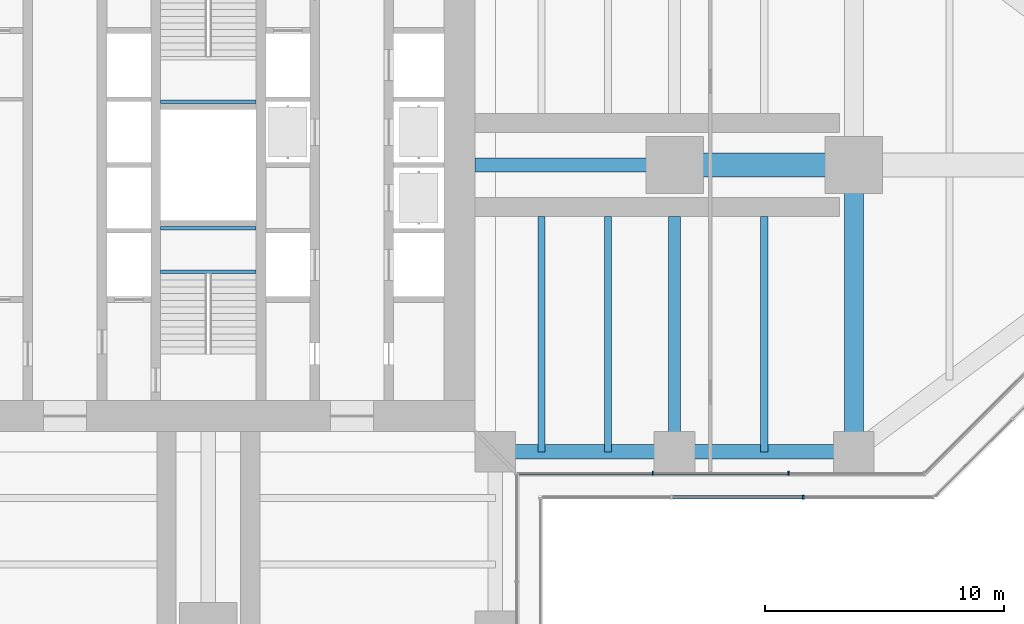
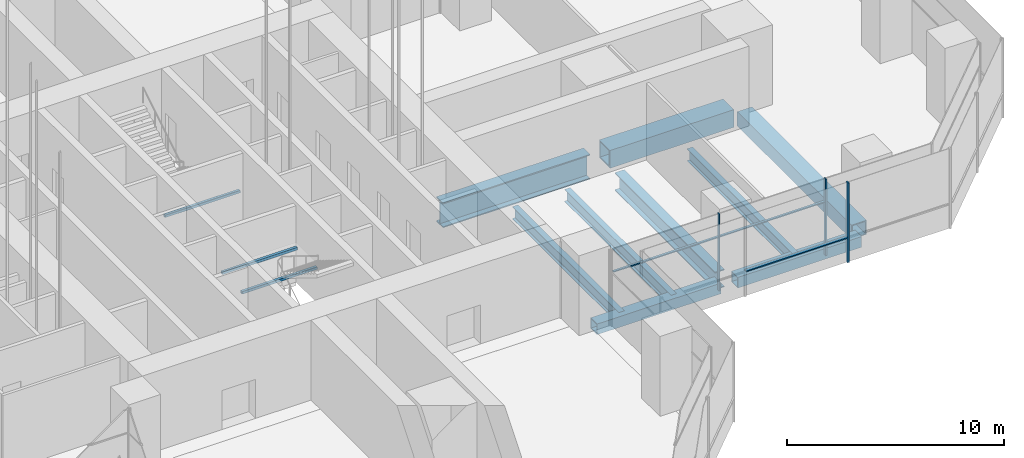
# One storey, part 5 of 34: 12 beams, 6 members, 2 elements without a shape of their own.
"""IFC4 building model written with IfcOpenShell, lengths in metres."""

import ifcopenshell
import ifcopenshell.guid

model = None  # the IFC model being written
_history = None  # IfcOwnerHistory: only IFC2X3 demands one
_inside = {}  # id of a spatial element -> (the spatial element, [elements in it])
_under = {}  # id of a project, library or spatial element -> (it, [spatial elements below it])
_declared = {}  # id of a project -> (the project, [libraries it declares])
_typed = {}  # id of a type object -> (the type object, [elements of that type])
_made_of = {}  # id of a material, layer set ... -> (it, [elements and type objects made of it])


def new_model(schema):
    """Start an empty IFC model of exactly this schema.

    Asked for "IFC4X3", IfcOpenShell would pick the latest addendum, in which some entities
    have other attributes; the version numbers below select the first issue.
    IFC2X3 requires an IfcOwnerHistory on every rooted entity: one is made here for all.
    """
    global model, _history
    if schema == "IFC4X3":
        model = ifcopenshell.file(schema_version=(4, 3, 0, 0))
    else:
        model = ifcopenshell.file(schema=schema)
    _inside.clear()
    _under.clear()
    _declared.clear()
    _typed.clear()
    _made_of.clear()
    _history = None
    if model.schema == "IFC2X3":
        org = make("IfcOrganization", Name="unknown")
        user = make(
            "IfcPersonAndOrganization",
            ThePerson=make("IfcPerson", FamilyName="unknown"),
            TheOrganization=org,
        )
        app = make(
            "IfcApplication",
            ApplicationDeveloper=org,
            Version="unknown",
            ApplicationFullName="unknown",
            ApplicationIdentifier="unknown",
        )
        _history = make(
            "IfcOwnerHistory",
            OwningUser=user,
            OwningApplication=app,
            ChangeAction="ADDED",
            CreationDate=0,
        )
    return model


def make(cls, **values):
    """One entity of the class cls with the attributes given. An attribute that is None is left unset."""
    return model.create_entity(
        cls, **{name: value for name, value in values.items() if value is not None}
    )


def rooted(cls, **values):
    """An entity with a GlobalId (a new one), such as an element, a storey or a relation."""
    return make(cls, GlobalId=ifcopenshell.guid.new(), OwnerHistory=_history, **values)


def si_unit(unit_type, name, prefix=None):
    """IfcSIUnit, for example si_unit("LENGTHUNIT", "METRE", prefix="MILLI")."""
    return make("IfcSIUnit", UnitType=unit_type, Prefix=prefix, Name=name)


def assignment(units):
    """IfcUnitAssignment: the units of a project."""
    return None if units is None else make("IfcUnitAssignment", Units=units)


def point(xyz):
    """IfcCartesianPoint."""
    return None if xyz is None else make("IfcCartesianPoint", Coordinates=xyz)


def direction(xyz):
    """IfcDirection."""
    return None if xyz is None else make("IfcDirection", DirectionRatios=xyz)


def frame(location, z_axis=None, x_axis=None):
    """IfcAxis2Placement3D, a coordinate frame: its origin and axes. An axis left out is left unset."""
    return make(
        "IfcAxis2Placement3D",
        Location=point(location),
        Axis=direction(z_axis),
        RefDirection=direction(x_axis),
    )


def frame_2d(location, x_axis=None):
    """IfcAxis2Placement2D, a coordinate frame in the plane: its origin and x axis."""
    return make(
        "IfcAxis2Placement2D", Location=point(location), RefDirection=direction(x_axis)
    )


def origin():
    """The frame at (0, 0, 0) with its axes left unset."""
    return frame((0.0, 0.0, 0.0))


def origin_2d():
    """The frame at (0, 0) in the plane with its x axis left unset."""
    return frame_2d((0.0, 0.0))


def place(relative_to, where):
    """IfcLocalPlacement: puts the frame where relative to a parent placement (None: the world)."""
    return make(
        "IfcLocalPlacement", PlacementRelTo=relative_to, RelativePlacement=where
    )


def context(
    kind, dimensions, precision=None, world=None, true_north=None, identifier=None
):
    """IfcGeometricRepresentationContext, for example the 3D "Model" context."""
    return make(
        "IfcGeometricRepresentationContext",
        ContextIdentifier=identifier,
        ContextType=kind,
        CoordinateSpaceDimension=dimensions,
        Precision=precision,
        WorldCoordinateSystem=world,
        TrueNorth=true_north,
    )


def subcontext(parent, identifier, kind, view, scale=None):
    """IfcGeometricRepresentationSubContext, for example "Body" below "Model"."""
    return make(
        "IfcGeometricRepresentationSubContext",
        ContextIdentifier=identifier,
        ContextType=kind,
        ParentContext=parent,
        TargetScale=scale,
        TargetView=view,
    )


def project(units=None, contexts=None):
    """IfcProject with its units and contexts."""
    return rooted(
        "IfcProject",
        Name="project",
        RepresentationContexts=contexts,
        UnitsInContext=assignment(units),
    )


def spatial(cls, under=None, at=None, **own):
    """A site, building, storey or space (cls), placed at a placement, below another one or the project."""
    s = rooted(cls, ObjectPlacement=at, **own)
    if under is not None:
        _under.setdefault(under.id(), (under, []))[1].append(s)
    return s


def profile(cls, at=None, kind="AREA", **sizes):
    """A parametric profile (cls). Its sizes go by their IFC names, for example OverallWidth=200.0."""
    return make(cls, ProfileType=kind, Position=at, **sizes)


def rectangle(**sizes):
    """IfcRectangleProfileDef."""
    return profile("IfcRectangleProfileDef", **sizes)


def hollow_rectangle(**sizes):
    """IfcRectangleHollowProfileDef."""
    return profile("IfcRectangleHollowProfileDef", **sizes)


def i_section(**sizes):
    """IfcIShapeProfileDef."""
    return profile("IfcIShapeProfileDef", **sizes)


def extrude(swept, where, along, depth):
    """IfcExtrudedAreaSolid: the profile swept, set in the frame where, extruded along a direction by depth."""
    return make(
        "IfcExtrudedAreaSolid",
        SweptArea=swept,
        Position=where,
        ExtrudedDirection=direction(along),
        Depth=depth,
    )


def shape(context_of_items, identifier, shape_type, items):
    """IfcShapeRepresentation: the items that make up one representation, for example the "Body"."""
    return make(
        "IfcShapeRepresentation",
        ContextOfItems=context_of_items,
        RepresentationIdentifier=identifier,
        RepresentationType=shape_type,
        Items=items,
    )


def material(Name=None, Category=None):
    """IfcMaterial."""
    return make("IfcMaterial", Name=Name, Category=Category)


def material_profile(
    of_material, cross_section, Name=None, Category=None, Priority=None
):
    """IfcMaterialProfile: a cross section and its material."""
    return make(
        "IfcMaterialProfile",
        Name=Name,
        Material=of_material,
        Profile=cross_section,
        Priority=Priority,
        Category=Category,
    )


def profile_set(profiles, Name=None, composite=None):
    """IfcMaterialProfileSet."""
    return make(
        "IfcMaterialProfileSet",
        Name=Name,
        MaterialProfiles=profiles,
        CompositeProfile=composite,
    )


def made_of(thing, what):
    """Note that an element or type object is made of a material, layer set ...; save() writes the relation."""
    if what is not None:
        _made_of.setdefault(what.id(), (what, []))[1].append(thing)
    return thing


def type_object(cls, material=None, **own):
    """A type object (cls), such as IfcWallType, which elements share."""
    return made_of(rooted(cls, **own), material)


def element(
    cls,
    number,
    at=None,
    inside=None,
    cuts=None,
    type_object=None,
    material=None,
    context=None,
    identifier="Body",
    shape_type=None,
    held_by="IfcProductDefinitionShape",
    body=None,
    shapes=None,
    **own,
):
    """One element of the class cls, such as IfcWall. Its Tag is "e" and its number.

    at: its placement. inside: the storey or other place that contains it. cuts: it is an
    opening in that element (IfcRelVoidsElement). A single representation is given by context,
    identifier, shape_type and body (its items); several are given by shapes. held_by: the class
    of the entity that holds the representations. save() writes the other relations.
    """
    e = rooted(cls, Tag="e%d" % number, ObjectPlacement=at, **own)
    if body is not None:
        shapes = [shape(context, identifier, shape_type, body)]
    if shapes is not None:
        e.Representation = make(held_by, Representations=shapes)
    if inside is not None:
        _inside.setdefault(inside.id(), (inside, []))[1].append(e)
    if cuts is not None:
        rooted(
            "IfcRelVoidsElement", RelatingBuildingElement=cuts, RelatedOpeningElement=e
        )
    if type_object is not None:
        _typed.setdefault(type_object.id(), (type_object, []))[1].append(e)
    return made_of(e, material)


def aggregate(whole, parts):
    """IfcRelAggregates: a whole, such as a stair, and the parts it consists of."""
    return rooted("IfcRelAggregates", RelatingObject=whole, RelatedObjects=parts)


def save(model, path):
    """Write the relations noted so far, then the file.

    IfcRelAggregates (storeys below a building ...), IfcRelContainedInSpatialStructure (elements
    in a storey), IfcRelDefinesByType, IfcRelAssociatesMaterial and IfcRelDeclares: one each for
    every whole, place, type object, material and project.
    """
    for whole, parts in _under.values():
        aggregate(whole, parts)
    for where, things in _inside.values():
        rooted(
            "IfcRelContainedInSpatialStructure",
            RelatedElements=things,
            RelatingStructure=where,
        )
    for kind, things in _typed.values():
        rooted("IfcRelDefinesByType", RelatedObjects=things, RelatingType=kind)
    for what, things in _made_of.values():
        rooted("IfcRelAssociatesMaterial", RelatedObjects=things, RelatingMaterial=what)
    for by, libraries in _declared.values():
        rooted("IfcRelDeclares", RelatingContext=by, RelatedDefinitions=libraries)
    model.write(path)


model = new_model("IFC4")

# Units and contexts
model_context = context("Model", 3, precision=1e-05, world=origin(), true_north=direction((0.0, 1.0)))
body_context = subcontext(model_context, "Body", "Model", "MODEL_VIEW")
ifc_project = project(units=[si_unit("LENGTHUNIT", "METRE"), si_unit("AREAUNIT", "SQUARE_METRE"), si_unit("VOLUMEUNIT", "CUBIC_METRE"), si_unit("PLANEANGLEUNIT", "RADIAN"), si_unit("MASSUNIT", "GRAM", prefix="KILO")], contexts=[model_context])

# Site, building, storey
site_placement = place(None, origin())
site = spatial("IfcSite", under=ifc_project, at=site_placement, CompositionType="ELEMENT")
building_placement = place(site_placement, origin())
building = spatial("IfcBuilding", under=site, at=building_placement, Name="Mizan Broadcast Tower", CompositionType="ELEMENT")
storey_placement = place(building_placement, frame((0.0, 0.0, 194.39990234375)))
storey = spatial("IfcBuildingStorey", under=building, at=storey_placement, Name="L45", CompositionType="ELEMENT", Elevation=194.39990234375)

# Beams
ifc_material_1 = material(Name="Steel S355", Category="steel")
ifc_material_profile_1 = material_profile(ifc_material_1, hollow_rectangle(XDim=0.60009765625, YDim=0.60009765625, WallThickness=0.0400390625, at=origin_2d()), Name="BOX 600x600x40")
ifc_profile_set_1 = profile_set([ifc_material_profile_1], Name="Steel S355")
beam_type_1 = type_object("IfcBeamType", Name="EDGE BEAM BOX 600x600x40", PredefinedType="SPANDREL", material=ifc_profile_set_1)
for number, where, z_axis, x_axis, name in (
    (1, (12.449951171875, -12.0, -0.429931640625), (1.0, 0.0, 0.0), (0.0, 1.0, 0.0), "Edge beam BOX 600x600x40 L45 east arm"),
    (2, (19.949951171875, -12.0, -0.429931640625), (1.0, 0.0, 0.0), (0.0, 1.0, 0.0), "Edge beam BOX 600x600x40 L45 east arm"),
):
    element("IfcBeam", number, at=place(storey_placement, frame(where, z_axis=z_axis, x_axis=x_axis)), inside=storey, type_object=beam_type_1, Name=name, PredefinedType="SPANDREL", context=body_context, shape_type="SweptSolid", body=[
        extrude(hollow_rectangle(XDim=0.60009765625, YDim=0.60009765625, WallThickness=0.0400390625, at=origin_2d()), origin(), (0.0, 0.0, 1.0), 6.60009765625),
    ])
ifc_material_2 = material(Name="Steel S460", Category="steel")
ifc_material_profile_2 = material_profile(ifc_material_2, hollow_rectangle(XDim=1.0, YDim=1.0, WallThickness=0.080078125, at=origin_2d()), Name="BOX 1000x1000x80")
ifc_profile_set_2 = profile_set([ifc_material_profile_2], Name="Steel S460")
beam_type_2 = type_object("IfcBeamType", Name="GIRDER BOX 1000x1000x80", PredefinedType="BEAM", material=ifc_profile_set_2)
beam_1_placement = place(storey_placement, frame((19.949951171875, 0.0, -0.6298828125), z_axis=(1.0, 0.0, 0.0), x_axis=(0.0, 1.0, 0.0)))
element("IfcBeam", 3, at=beam_1_placement, inside=storey, type_object=beam_type_2, Name="Girder BOX 1000x1000x80 L45 east arm", PredefinedType="BEAM", context=body_context, shape_type="SweptSolid", body=[
    extrude(hollow_rectangle(XDim=1.0, YDim=1.0, WallThickness=0.080078125, at=origin_2d()), origin(), (0.0, 0.0, 1.0), 6.60009765625),
])
ifc_material_3 = material(Name="Steel S460", Category="steel")
ifc_material_profile_3 = material_profile(ifc_material_3, hollow_rectangle(XDim=0.800048828125, YDim=0.800048828125, WallThickness=0.050048828125, at=origin_2d()), Name="BOX 800x800x50")
ifc_profile_set_3 = profile_set([ifc_material_profile_3], Name="Steel S460")
beam_type_3 = type_object("IfcBeamType", Name="GIRDER BOX 800x800x50", PredefinedType="BEAM", material=ifc_profile_set_3)
beam_2_placement = place(storey_placement, frame((27.0, -11.280029296875, -0.52978515625), z_axis=(0.0, 1.0, 0.0), x_axis=(-1.0, 0.0, 0.0)))
element("IfcBeam", 4, at=beam_2_placement, inside=storey, type_object=beam_type_3, Name="Girder BOX 800x800x50 L45 east arm", PredefinedType="BEAM", context=body_context, shape_type="SweptSolid", body=[
    extrude(hollow_rectangle(XDim=0.800048828125, YDim=0.800048828125, WallThickness=0.050048828125, at=origin_2d()), origin(), (0.0, 0.0, 1.0), 10.56005859375),
])
ifc_material_4 = material(Name="Steel S460", Category="steel")
ifc_material_profile_4 = material_profile(ifc_material_4, i_section(OverallWidth=0.5, OverallDepth=1.0, WebThickness=0.02490234375, FlangeThickness=0.050048828125, at=origin_2d()), Name="WPG 1000x500")
ifc_profile_set_4 = profile_set([ifc_material_profile_4], Name="Steel S460")
beam_type_4 = type_object("IfcBeamType", Name="GIRDER WPG 1000x500", PredefinedType="BEAM", material=ifc_profile_set_4)
beam_3_placement = place(storey_placement, frame((19.5, -11.408935546875, -0.6298828125), z_axis=(0.0, 1.0, 0.0), x_axis=(-1.0, 0.0, 0.0)))
element("IfcBeam", 5, at=beam_3_placement, inside=storey, type_object=beam_type_4, Name="Girder WPG 1000x500 L45 east arm", PredefinedType="BEAM", context=body_context, shape_type="SweptSolid", body=[
    extrude(i_section(OverallWidth=0.5, OverallDepth=1.0, WebThickness=0.02490234375, FlangeThickness=0.050048828125, at=origin_2d()), origin(), (0.0, 0.0, 1.0), 9.259033203125),
])
ifc_material_5 = material(Name="Steel S460", Category="steel")
ifc_material_profile_5 = material_profile(ifc_material_5, i_section(OverallWidth=0.60009765625, OverallDepth=1.39990234375, WebThickness=0.02490234375, FlangeThickness=0.06005859375, at=origin_2d()), Name="WPG 1400x600")
ifc_profile_set_5 = profile_set([ifc_material_profile_5], Name="Steel S460")
beam_type_5 = type_object("IfcBeamType", Name="GIRDER WPG 1400x600", PredefinedType="BEAM", material=ifc_profile_set_5)
beam_4_placement = place(storey_placement, frame((11.14990234375, 0.0, -0.829833984375), z_axis=(1.0, 0.0, 0.0), x_axis=(0.0, 1.0, 0.0)))
element("IfcBeam", 6, at=beam_4_placement, inside=storey, type_object=beam_type_5, Name="Girder WPG 1400x600 L45 east arm", PredefinedType="BEAM", context=body_context, shape_type="SweptSolid", body=[
    extrude(i_section(OverallWidth=0.60009765625, OverallDepth=1.39990234375, WebThickness=0.02490234375, FlangeThickness=0.06005859375, at=origin_2d()), origin(), (0.0, 0.0, 1.0), 7.84912109375),
])

# Curtain wall, members
ifc_material_6 = material(Name="Aluminium framed glazing", Category="aluminium")
curtain_wall_type_1 = type_object("IfcCurtainWallType", Name="INNER SKIN HIGH ZONE", PredefinedType="USERDEFINED", material=ifc_material_6)
curtain_wall_1_placement = place(storey_placement, origin())
curtain_wall_1 = element("IfcCurtainWall", 7, at=curtain_wall_1_placement, inside=storey, type_object=curtain_wall_type_1, Name="Inner skin high zone L45 E side", ObjectType="INNER SKIN HIGH ZONE", PredefinedType="USERDEFINED")
ifc_material_7 = material(Name="Aluminium, pale anodised", Category="aluminium")
ifc_material_profile_6 = material_profile(ifc_material_7, rectangle(XDim=0.159912109375, YDim=0.06005859375, at=origin_2d()), Name="MULLION 160x60")
ifc_profile_set_6 = profile_set([ifc_material_profile_6], Name="Aluminium, pale anodised")
member_type_1 = type_object("IfcMemberType", Name="INNER SKIN MULLION 60x160", PredefinedType="MULLION", material=ifc_profile_set_6)
member_1_placement = place(storey_placement, frame((18.586181640625, -12.89990234375, 0.0), z_axis=(0.0, 0.0, 1.0), x_axis=(0.0, 1.0, 0.0)))
member_1 = element("IfcMember", 8, at=member_1_placement, type_object=member_type_1, Name="Inner skin high zone L45 E side mullion 2", PredefinedType="MULLION", context=body_context, shape_type="SweptSolid", body=[
    extrude(rectangle(XDim=0.159912109375, YDim=0.06005859375, at=origin_2d()), origin(), (0.0, 0.0, 1.0), 4.320068359375),
])
member_2_placement = place(storey_placement, frame((24.2724609375, -12.89990234375, 0.0), z_axis=(0.0, 0.0, 1.0), x_axis=(0.0, 1.0, 0.0)))
member_2 = element("IfcMember", 9, at=member_2_placement, type_object=member_type_1, Name="Inner skin high zone L45 E side mullion 3", PredefinedType="MULLION", context=body_context, shape_type="SweptSolid", body=[
    extrude(rectangle(XDim=0.159912109375, YDim=0.06005859375, at=origin_2d()), origin(), (0.0, 0.0, 1.0), 4.320068359375),
])
ifc_material_8 = material(Name="Aluminium, pale anodised", Category="aluminium")
ifc_material_profile_7 = material_profile(ifc_material_8, rectangle(XDim=0.1201171875, YDim=0.06005859375, at=origin_2d()), Name="TRANSOM 120x60")
ifc_profile_set_7 = profile_set([ifc_material_profile_7], Name="Aluminium, pale anodised")
member_type_2 = type_object("IfcMemberType", Name="INNER SKIN TRANSOM 60x120", PredefinedType="USERDEFINED", material=ifc_profile_set_7)
member_3_placement = place(storey_placement, frame((12.9599609375, -12.89990234375, 3.030029296875), z_axis=(1.0, 0.0, 0.0), x_axis=(0.0, 1.0, 0.0)))
member_3 = element("IfcMember", 10, at=member_3_placement, type_object=member_type_2, Name="Inner skin high zone L45 E side transom 1.1", ObjectType="TRANSOM", PredefinedType="USERDEFINED", context=body_context, shape_type="SweptSolid", body=[
    extrude(rectangle(XDim=0.1201171875, YDim=0.06005859375, at=origin_2d()), origin(), (0.0, 0.0, 1.0), 5.59619140625),
])
member_4_placement = place(storey_placement, frame((18.6162109375, -12.89990234375, 3.030029296875), z_axis=(1.0, 0.0, 0.0), x_axis=(0.0, 1.0, 0.0)))
member_4 = element("IfcMember", 11, at=member_4_placement, type_object=member_type_2, Name="Inner skin high zone L45 E side transom 2.1", ObjectType="TRANSOM", PredefinedType="USERDEFINED", context=body_context, shape_type="SweptSolid", body=[
    extrude(rectangle(XDim=0.1201171875, YDim=0.06005859375, at=origin_2d()), origin(), (0.0, 0.0, 1.0), 5.626220703125),
])
aggregate(curtain_wall_1, [member_1, member_2, member_3, member_4])

# Beams
ifc_material_9 = material(Name="Steel S355", Category="steel")
ifc_material_profile_8 = material_profile(ifc_material_9, hollow_rectangle(XDim=0.14990234375, YDim=0.14990234375, WallThickness=0.008056640625, InnerFilletRadius=0.008056640625, OuterFilletRadius=0.011962890625, at=origin_2d()), Name="SHS 150x150x8")
ifc_profile_set_8 = profile_set([ifc_material_profile_8], Name="Steel S355")
beam_type_6 = type_object("IfcBeamType", Name="LANDING TRIMMER SHS 150x150x8", PredefinedType="BEAM", material=ifc_profile_set_8)
for number, where, z_axis, x_axis, name in (
    (12, (-2.0, -4.465087890625, 1.97509765625), (1.0, 0.0, 0.0), (0.0, 1.0, 0.0), "Stair A landing trimmer L45"),
    (13, (-2.0, -2.64990234375, 1.97509765625), (1.0, 0.0, 0.0), (0.0, 1.0, 0.0), "Stair A landing trimmer L45"),
    (14, (2.0, 2.64990234375, 1.97509765625), (-1.0, 0.0, 0.0), (0.0, -1.0, 0.0), "Stair B landing trimmer L45"),
):
    element("IfcBeam", number, at=place(storey_placement, frame(where, z_axis=z_axis, x_axis=x_axis)), inside=storey, type_object=beam_type_6, Name=name, PredefinedType="BEAM", context=body_context, shape_type="SweptSolid", body=[
        extrude(hollow_rectangle(XDim=0.14990234375, YDim=0.14990234375, WallThickness=0.008056640625, InnerFilletRadius=0.008056640625, OuterFilletRadius=0.011962890625, at=origin_2d()), origin(), (0.0, 0.0, 1.0), 4.0),
    ])

# Curtain wall, members
ifc_material_10 = material(Name="Aluminium framed glazing", Category="aluminium")
curtain_wall_type_2 = type_object("IfcCurtainWallType", Name="OUTER SKIN", PredefinedType="USERDEFINED", material=ifc_material_10)
curtain_wall_2_placement = place(storey_placement, origin())
curtain_wall_2 = element("IfcCurtainWall", 15, at=curtain_wall_2_placement, inside=storey, type_object=curtain_wall_type_2, Name="Outer skin L45 E side", ObjectType="OUTER SKIN", PredefinedType="USERDEFINED")
ifc_material_11 = material(Name="Aluminium, pale anodised", Category="aluminium")
ifc_material_profile_9 = material_profile(ifc_material_11, rectangle(XDim=0.159912109375, YDim=0.080078125, at=origin_2d()), Name="MULLION 160x80")
ifc_profile_set_9 = profile_set([ifc_material_profile_9], Name="Aluminium, pale anodised")
member_type_3 = type_object("IfcMemberType", Name="OUTER SKIN MULLION 80x160", PredefinedType="MULLION", material=ifc_profile_set_9)
member_5_placement = place(storey_placement, frame((24.8818359375, -13.89990234375, 0.0), z_axis=(0.0, 0.0, 1.0), x_axis=(0.0, 1.0, 0.0)))
member_5 = element("IfcMember", 16, at=member_5_placement, type_object=member_type_3, Name="Outer skin L45 E side mullion 3", PredefinedType="MULLION", context=body_context, shape_type="SweptSolid", body=[
    extrude(rectangle(XDim=0.159912109375, YDim=0.080078125, at=origin_2d()), origin(), (0.0, 0.0, 1.0), 4.5),
])
ifc_material_12 = material(Name="Aluminium, pale anodised", Category="aluminium")
ifc_material_profile_10 = material_profile(ifc_material_12, rectangle(XDim=0.159912109375, YDim=0.06005859375, at=origin_2d()), Name="TRANSOM 160x60")
ifc_profile_set_10 = profile_set([ifc_material_profile_10], Name="Aluminium, pale anodised")
member_type_4 = type_object("IfcMemberType", Name="OUTER SKIN TRANSOM 60x160", PredefinedType="USERDEFINED", material=ifc_profile_set_10)
member_6_placement = place(storey_placement, frame((19.430908203125, -13.89990234375, 1.400146484375), z_axis=(1.0, 0.0, 0.0), x_axis=(0.0, 1.0, 0.0)))
member_6 = element("IfcMember", 17, at=member_6_placement, type_object=member_type_4, Name="Outer skin L45 E side transom 2.1", ObjectType="TRANSOM", PredefinedType="USERDEFINED", context=body_context, shape_type="SweptSolid", body=[
    extrude(rectangle(XDim=0.159912109375, YDim=0.06005859375, at=origin_2d()), origin(), (0.0, 0.0, 1.0), 5.410888671875),
])
aggregate(curtain_wall_2, [member_5, member_6])

# Beams
ifc_material_13 = material(Name="Steel S355", Category="steel")
ifc_material_profile_11 = material_profile(ifc_material_13, i_section(OverallWidth=0.300048828125, OverallDepth=0.68994140625, WebThickness=0.014404296875, FlangeThickness=0.027099609375, FilletRadius=0.027099609375, at=origin_2d()), Name="HEA 700")
ifc_profile_set_11 = profile_set([ifc_material_profile_11], Name="Steel S355")
beam_type_7 = type_object("IfcBeamType", Name="SECONDARY BEAM HEA 700", PredefinedType="JOIST", material=ifc_profile_set_11)
for number, where, z_axis, x_axis, name in (
    (18, (13.933349609375, -12.0, -0.474853515625), (0.0, 1.0, 0.0), (-1.0, 0.0, 0.0), "Secondary beam HEA 700 L45 east arm"),
    (19, (16.716552734375, -12.0, -0.474853515625), (0.0, 1.0, 0.0), (-1.0, 0.0, 0.0), "Secondary beam HEA 700 L45 east arm"),
    (20, (23.25, -12.0, -0.474853515625), (0.0, 1.0, 0.0), (-1.0, 0.0, 0.0), "Secondary beam HEA 700 L45 east arm"),
):
    element("IfcBeam", number, at=place(storey_placement, frame(where, z_axis=z_axis, x_axis=x_axis)), inside=storey, type_object=beam_type_7, Name=name, PredefinedType="JOIST", context=body_context, shape_type="SweptSolid", body=[
        extrude(i_section(OverallWidth=0.300048828125, OverallDepth=0.68994140625, WebThickness=0.014404296875, FlangeThickness=0.027099609375, FilletRadius=0.027099609375, at=origin_2d()), origin(), (0.0, 0.0, 1.0), 9.85009765625),
    ])

save(model, "model.ifc")
